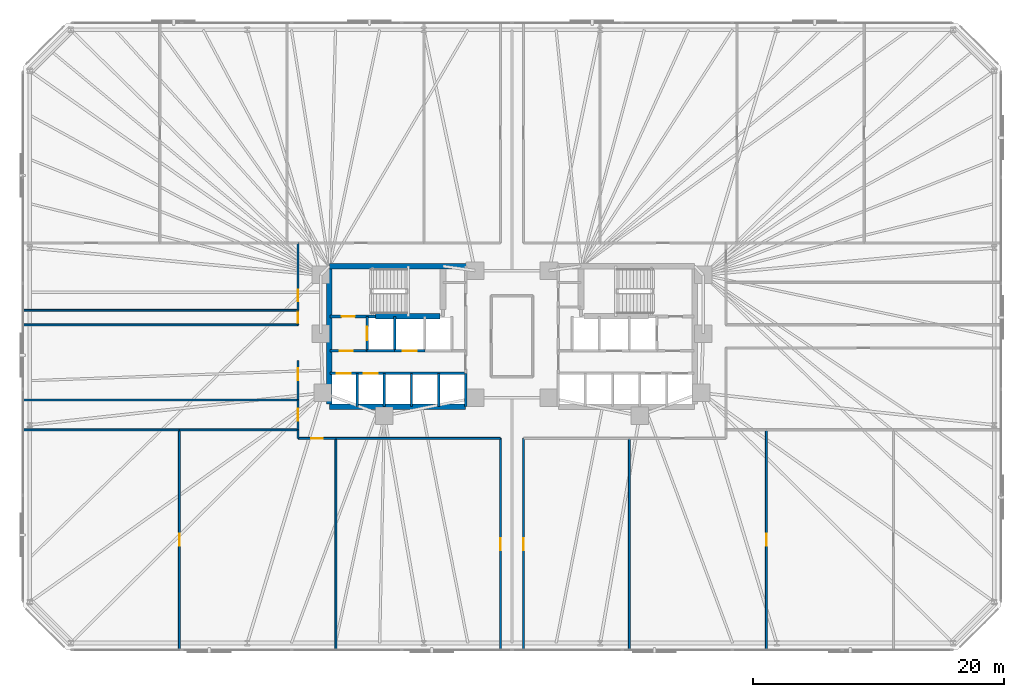
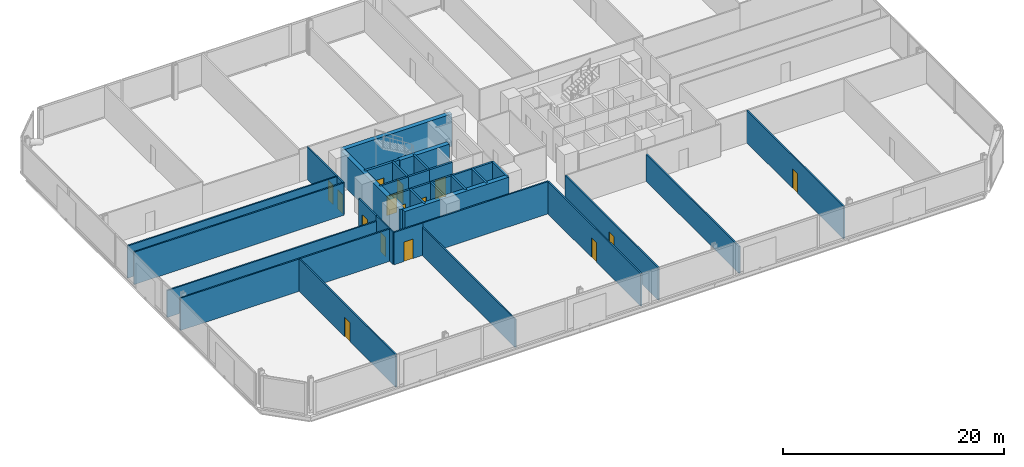
# One storey, part 12 of 17: 34 walls, 15 doors, 15 openings.
"""IFC4 building model written with IfcOpenShell, lengths in metres."""

from ifc_helpers import new_model, si_unit, direction, frame, frame_2d, origin, place, context, subcontext, project, spatial, rectangle, extrude, material, layer, layer_set, type_object, element, fill, save


model = new_model("IFC4")

# Units and contexts
model_context = context("Model", 3, precision=1e-05, world=origin(), true_north=direction((0.0, 1.0)))
body_context = subcontext(model_context, "Body", "Model", "MODEL_VIEW")
ifc_project = project(units=[si_unit("LENGTHUNIT", "METRE"), si_unit("AREAUNIT", "SQUARE_METRE"), si_unit("VOLUMEUNIT", "CUBIC_METRE"), si_unit("PLANEANGLEUNIT", "RADIAN"), si_unit("MASSUNIT", "GRAM", prefix="KILO")], contexts=[model_context])

# Site, building, storey
site_placement = place(None, origin())
site = spatial("IfcSite", under=ifc_project, at=site_placement, CompositionType="ELEMENT")
building_placement = place(site_placement, origin())
building = spatial("IfcBuilding", under=site, at=building_placement, Name="Menara Jurai Vektor", CompositionType="ELEMENT")
storey_placement = place(building_placement, frame((0.0, 0.0, 25.60009765625)))
storey = spatial("IfcBuildingStorey", under=building, at=storey_placement, Name="L05", CompositionType="ELEMENT", Elevation=25.60009765625)

# Wall, opening, door
ifc_material_1 = material(Name="Concrete C40/50", Category="concrete")
ifc_layer_1 = layer(ifc_material_1, 0.25)
ifc_layer_set_1 = layer_set([ifc_layer_1], Name="Concrete C40/50")
wall_type_1 = type_object("IfcWallType", Name="INT-WALL-CORE-250", PredefinedType="STANDARD", material=ifc_layer_set_1)
wall_1_placement = place(storey_placement, frame((-14.5, 1.60009765625, 0.0), z_axis=(0.0, 0.0, 1.0), x_axis=(1.0, 0.0, 0.0)))
wall_1 = element("IfcWall", 1, at=wall_1_placement, inside=storey, type_object=wall_type_1, Name="Interior Wall IW-250 L05", PredefinedType="STANDARD", context=body_context, shape_type="SweptSolid", body=[
    extrude(rectangle(XDim=3.60009765625, YDim=0.25, at=frame_2d((1.800048828125, 0.0))), origin(), (0.0, 0.0, 1.0), 3.574951171875),
])
opening_1_placement = place(wall_1_placement, frame((0.919921875, 0.0, 0.0)))
opening_1 = element("IfcOpeningElement", 2, at=opening_1_placement, cuts=wall_1, Name="Opening D-L05-ST1", PredefinedType="OPENING", context=body_context, shape_type="SweptSolid", body=[
    extrude(rectangle(XDim=1.050048828125, YDim=2.14990234375, at=frame_2d((0.52490234375, 1.074951171875))), frame((0.0, 0.135009765625, 0.0), z_axis=(0.0, -1.0, 0.0), x_axis=(1.0, 0.0, 0.0)), (0.0, 0.0, 1.0), 0.27001953125),
])
ifc_material_2 = material(Name="Fire-Rated Steel Door", Category="steel")
door_type_1 = type_object("IfcDoorType", Name="DR-STAIR-1050", OperationType="NOTDEFINED", PredefinedType="DOOR", material=ifc_material_2)
door_1_placement = place(opening_1_placement, origin())
door_1 = element("IfcDoor", 3, at=door_1_placement, inside=storey, type_object=door_type_1, Name="Exit Stair ST1 Door L05", OperationType="SINGLE_SWING_RIGHT", OverallHeight=2.14990234375, OverallWidth=1.050048828125, PredefinedType="DOOR", context=body_context, shape_type="SweptSolid", body=[
    extrude(rectangle(XDim=1.050048828125, YDim=2.14990234375, at=frame_2d((0.52490234375, 1.074951171875))), frame((0.0, 0.02490234375, 0.0), z_axis=(0.0, -1.0, 0.0), x_axis=(1.0, 0.0, 0.0)), (0.0, 0.0, 1.0), 0.050048828125),
])
fill(opening_1, door_1)

wall_2_placement = place(storey_placement, frame((-11.550048828125, -1.14990234375, 0.0), z_axis=(0.0, 0.0, 1.0), x_axis=(0.0, 1.0, 0.0)))
wall_2 = element("IfcWall", 4, at=wall_2_placement, inside=storey, type_object=wall_type_1, Name="Interior Wall IW-250 L05", PredefinedType="STANDARD", context=body_context, shape_type="SweptSolid", body=[
    extrude(rectangle(XDim=2.75, YDim=0.199951171875, at=frame_2d((1.375, 0.0))), origin(), (0.0, 0.0, 1.0), 3.574951171875),
])
opening_2_placement = place(wall_2_placement, frame((0.824951171875, 0.0, 0.0)))
opening_2 = element("IfcOpeningElement", 5, at=opening_2_placement, cuts=wall_2, Name="Opening LD-L05-FL1", PredefinedType="OPENING", context=body_context, shape_type="SweptSolid", body=[
    extrude(rectangle(XDim=1.10009765625, YDim=2.14990234375, at=frame_2d((0.550048828125, 1.074951171875))), frame((0.0, 0.10986328125, 0.0), z_axis=(0.0, -1.0, 0.0), x_axis=(1.0, 0.0, 0.0)), (0.0, 0.0, 1.0), 0.219970703125),
])
ifc_material_3 = material(Name="Stainless Steel Sliding Lift Landing Door", Category="steel")
door_type_2 = type_object("IfcDoorType", Name="DR-LIFT-FIRE-1100", OperationType="NOTDEFINED", PredefinedType="DOOR", material=ifc_material_3)
door_2_placement = place(opening_2_placement, origin())
door_2 = element("IfcDoor", 6, at=door_2_placement, inside=storey, type_object=door_type_2, Name="Lift Landing Door FL1 L05", OperationType="SLIDING_TO_RIGHT", OverallHeight=2.14990234375, OverallWidth=1.10009765625, PredefinedType="DOOR", context=body_context, shape_type="SweptSolid", body=[
    extrude(rectangle(XDim=1.10009765625, YDim=2.14990234375, at=frame_2d((0.550048828125, 1.074951171875))), frame((0.0, 0.02490234375, 0.0), z_axis=(0.0, -1.0, 0.0), x_axis=(1.0, 0.0, 0.0)), (0.0, 0.0, 1.0), 0.050048828125),
])
fill(opening_2, door_2)

# Wall
wall_3_placement = place(storey_placement, frame((-9.35009765625, -1.14990234375, 0.0), z_axis=(0.0, 0.0, 1.0), x_axis=(0.0, 1.0, 0.0)))
element("IfcWall", 7, at=wall_3_placement, inside=storey, type_object=wall_type_1, Name="Interior Wall IW-250 L05", PredefinedType="STANDARD", context=body_context, shape_type="SweptSolid", body=[
    extrude(rectangle(XDim=2.75, YDim=0.199951171875, at=frame_2d((1.375, 0.0))), origin(), (0.0, 0.0, 1.0), 3.574951171875),
])

# Wall, opening, door
wall_4_placement = place(storey_placement, frame((-14.5, -1.14990234375, 0.0), z_axis=(0.0, 0.0, 1.0), x_axis=(1.0, 0.0, 0.0)))
wall_4 = element("IfcWall", 8, at=wall_4_placement, inside=storey, type_object=wall_type_1, Name="Interior Wall IW-250 L05", PredefinedType="STANDARD", context=body_context, shape_type="SweptSolid", body=[
    extrude(rectangle(XDim=2.949951171875, YDim=0.199951171875, at=frame_2d((1.47509765625, 0.0))), origin(), (0.0, 0.0, 1.0), 3.574951171875),
])
opening_3_placement = place(wall_4_placement, frame((0.75, 0.0, 0.0)))
opening_3 = element("IfcOpeningElement", 9, at=opening_3_placement, cuts=wall_4, Name="Opening D-L05-FFW", PredefinedType="OPENING", context=body_context, shape_type="SweptSolid", body=[
    extrude(rectangle(XDim=1.050048828125, YDim=2.179931640625, at=frame_2d((0.52490234375, 1.08984375))), frame((0.0, 0.10986328125, 0.0), z_axis=(0.0, -1.0, 0.0), x_axis=(1.0, 0.0, 0.0)), (0.0, 0.0, 1.0), 0.219970703125),
])
ifc_material_4 = material(Name="Fire-Rated Timber Door", Category="wood")
door_type_3 = type_object("IfcDoorType", Name="DR-LOBBY-1050", OperationType="NOTDEFINED", PredefinedType="DOOR", material=ifc_material_4)
door_3_placement = place(opening_3_placement, origin())
door_3 = element("IfcDoor", 10, at=door_3_placement, inside=storey, type_object=door_type_3, Name="Fire Lift Lobby Door W L05", OperationType="SINGLE_SWING_RIGHT", OverallHeight=2.179931640625, OverallWidth=1.050048828125, PredefinedType="DOOR", context=body_context, shape_type="SweptSolid", body=[
    extrude(rectangle(XDim=1.050048828125, YDim=2.179931640625, at=frame_2d((0.52490234375, 1.08984375))), frame((0.0, 0.02490234375, 0.0), z_axis=(0.0, -1.0, 0.0), x_axis=(1.0, 0.0, 0.0)), (0.0, 0.0, 1.0), 0.050048828125),
])
fill(opening_3, door_3)

# Walls
wall_5_placement = place(storey_placement, frame((-11.550048828125, -1.14990234375, 0.0), z_axis=(0.0, 0.0, 1.0), x_axis=(1.0, 0.0, 0.0)))
element("IfcWall", 11, at=wall_5_placement, inside=storey, type_object=wall_type_1, Name="Interior Wall IW-250 L05", PredefinedType="STANDARD", context=body_context, shape_type="SweptSolid", body=[
    extrude(rectangle(XDim=2.199951171875, YDim=0.199951171875, at=frame_2d((1.10009765625, 0.0))), origin(), (0.0, 0.0, 1.0), 3.574951171875),
])
ifc_material_5 = material(Name="Gypsum Fireboard Partition", Category="gypsum")
ifc_layer_2 = layer(ifc_material_5, 0.14990234375)
ifc_layer_set_2 = layer_set([ifc_layer_2], Name="Gypsum Fireboard Partition")
wall_type_2 = type_object("IfcWallType", Name="INT-WALL-CORR-150", PredefinedType="PARTITIONING", material=ifc_layer_set_2)
wall_6_placement = place(storey_placement, frame((-17.05908203125, -8.1298828125, 0.0), z_axis=(0.0, 0.0, 1.0), x_axis=(0.0, 1.0, 0.0)))
element("IfcWall", 12, at=wall_6_placement, inside=storey, type_object=wall_type_2, Name="Interior Wall IW-150 L05", PredefinedType="PARTITIONING", context=body_context, shape_type="SweptSolid", body=[
    extrude(rectangle(XDim=0.679931640625, YDim=0.14990234375, at=frame_2d((0.33984375, 0.0))), origin(), (0.0, 0.0, 1.0), 3.574951171875),
])

# Wall, opening, door
wall_7_placement = place(storey_placement, frame((-17.05908203125, -8.1298828125, 0.0), z_axis=(0.0, 0.0, 1.0), x_axis=(1.0, 0.0, 0.0)))
wall_7 = element("IfcWall", 13, at=wall_7_placement, inside=storey, type_object=wall_type_2, Name="Interior Wall IW-150 L05", PredefinedType="PARTITIONING", context=body_context, shape_type="SweptSolid", body=[
    extrude(rectangle(XDim=3.01904296875, YDim=0.14990234375, at=frame_2d((1.509521484375, 0.0))), origin(), (0.0, 0.0, 1.0), 3.574951171875),
])
opening_4_placement = place(wall_7_placement, frame((1.034423828125, 0.0, 0.0)))
opening_4 = element("IfcOpeningElement", 14, at=opening_4_placement, cuts=wall_7, Name="Opening D05-09", PredefinedType="OPENING", context=body_context, shape_type="SweptSolid", body=[
    extrude(rectangle(XDim=0.949951171875, YDim=2.14990234375, at=frame_2d((0.47509765625, 1.074951171875))), frame((0.0, 0.0849609375, 0.0), z_axis=(0.0, -1.0, 0.0), x_axis=(1.0, 0.0, 0.0)), (0.0, 0.0, 1.0), 0.169921875),
])
ifc_material_6 = material(Name="Solid Core Timber Fire Door", Category="wood")
door_type_4 = type_object("IfcDoorType", Name="DR-ENTRY-950", OperationType="NOTDEFINED", PredefinedType="DOOR", material=ifc_material_6)
door_4_placement = place(opening_4_placement, origin())
door_4 = element("IfcDoor", 15, at=door_4_placement, inside=storey, type_object=door_type_4, Name="Interior Door D05-09", OperationType="SINGLE_SWING_RIGHT", OverallHeight=2.14990234375, OverallWidth=0.949951171875, PredefinedType="DOOR", context=body_context, shape_type="SweptSolid", body=[
    extrude(rectangle(XDim=0.949951171875, YDim=2.14990234375, at=frame_2d((0.47509765625, 1.074951171875))), frame((0.0, 0.02490234375, 0.0), z_axis=(0.0, -1.0, 0.0), x_axis=(1.0, 0.0, 0.0)), (0.0, 0.0, 1.0), 0.050048828125),
])
fill(opening_4, door_4)

# Wall
wall_8_placement = place(storey_placement, frame((-14.0400390625, -8.1298828125, 0.0), z_axis=(0.0, 0.0, 1.0), x_axis=(1.0, 0.0, 0.0)))
element("IfcWall", 16, at=wall_8_placement, inside=storey, type_object=wall_type_2, Name="Interior Wall IW-150 L05", PredefinedType="PARTITIONING", context=body_context, shape_type="SweptSolid", body=[
    extrude(rectangle(XDim=13.1201171875, YDim=0.14990234375, at=frame_2d((6.56005859375, 0.0))), origin(), (0.0, 0.0, 1.0), 3.574951171875),
])

# Wall, opening, door
wall_9_placement = place(storey_placement, frame((-0.919921875, -25.0, 0.0), z_axis=(0.0, 0.0, 1.0), x_axis=(0.0, 1.0, 0.0)))
wall_9 = element("IfcWall", 17, at=wall_9_placement, inside=storey, type_object=wall_type_2, Name="Interior Wall IW-150 L05", PredefinedType="PARTITIONING", context=body_context, shape_type="SweptSolid", body=[
    extrude(rectangle(XDim=16.8701171875, YDim=0.14990234375, at=frame_2d((8.43505859375, 0.0))), origin(), (0.0, 0.0, 1.0), 3.574951171875),
])
opening_5_placement = place(wall_9_placement, frame((7.9599609375, 0.0, 0.0)))
opening_5 = element("IfcOpeningElement", 18, at=opening_5_placement, cuts=wall_9, Name="Opening D05-10", PredefinedType="OPENING", context=body_context, shape_type="SweptSolid", body=[
    extrude(rectangle(XDim=0.949951171875, YDim=2.14990234375, at=frame_2d((0.47509765625, 1.074951171875))), frame((0.0, 0.0849609375, 0.0), z_axis=(0.0, -1.0, 0.0), x_axis=(1.0, 0.0, 0.0)), (0.0, 0.0, 1.0), 0.169921875),
])
door_5_placement = place(opening_5_placement, origin())
door_5 = element("IfcDoor", 19, at=door_5_placement, inside=storey, type_object=door_type_4, Name="Interior Door D05-10", OperationType="SINGLE_SWING_LEFT", OverallHeight=2.14990234375, OverallWidth=0.949951171875, PredefinedType="DOOR", context=body_context, shape_type="SweptSolid", body=[
    extrude(rectangle(XDim=0.949951171875, YDim=2.14990234375, at=frame_2d((0.47509765625, 1.074951171875))), frame((0.0, 0.02490234375, 0.0), z_axis=(0.0, -1.0, 0.0), x_axis=(1.0, 0.0, 0.0)), (0.0, 0.0, 1.0), 0.050048828125),
])
fill(opening_5, door_5)

wall_10_placement = place(storey_placement, frame((0.919921875, -25.0, 0.0), z_axis=(0.0, 0.0, 1.0), x_axis=(0.0, 1.0, 0.0)))
wall_10 = element("IfcWall", 20, at=wall_10_placement, inside=storey, type_object=wall_type_2, Name="Interior Wall IW-150 L05", PredefinedType="PARTITIONING", context=body_context, shape_type="SweptSolid", body=[
    extrude(rectangle(XDim=16.8701171875, YDim=0.14990234375, at=frame_2d((8.43505859375, 0.0))), origin(), (0.0, 0.0, 1.0), 3.574951171875),
])
opening_6_placement = place(wall_10_placement, frame((7.9599609375, 0.0, 0.0)))
opening_6 = element("IfcOpeningElement", 21, at=opening_6_placement, cuts=wall_10, Name="Opening D05-11", PredefinedType="OPENING", context=body_context, shape_type="SweptSolid", body=[
    extrude(rectangle(XDim=0.949951171875, YDim=2.14990234375, at=frame_2d((0.47509765625, 1.074951171875))), frame((0.0, 0.0849609375, 0.0), z_axis=(0.0, -1.0, 0.0), x_axis=(1.0, 0.0, 0.0)), (0.0, 0.0, 1.0), 0.169921875),
])
door_6_placement = place(opening_6_placement, origin())
door_6 = element("IfcDoor", 22, at=door_6_placement, inside=storey, type_object=door_type_4, Name="Interior Door D05-11", OperationType="SINGLE_SWING_RIGHT", OverallHeight=2.14990234375, OverallWidth=0.949951171875, PredefinedType="DOOR", context=body_context, shape_type="SweptSolid", body=[
    extrude(rectangle(XDim=0.949951171875, YDim=2.14990234375, at=frame_2d((0.47509765625, 1.074951171875))), frame((0.0, 0.02490234375, 0.0), z_axis=(0.0, -1.0, 0.0), x_axis=(1.0, 0.0, 0.0)), (0.0, 0.0, 1.0), 0.050048828125),
])
fill(opening_6, door_6)

wall_11_placement = place(storey_placement, frame((-17.05908203125, -7.449951171875, 0.0), z_axis=(0.0, 0.0, 1.0), x_axis=(0.0, 1.0, 0.0)))
wall_11 = element("IfcWall", 23, at=wall_11_placement, inside=storey, type_object=wall_type_2, Name="Interior Wall IW-150 L05", PredefinedType="PARTITIONING", context=body_context, shape_type="SweptSolid", body=[
    extrude(rectangle(XDim=2.384033203125, YDim=0.14990234375, at=frame_2d((1.19189453125, 0.0))), origin(), (0.0, 0.0, 1.0), 3.574951171875),
])
opening_7_placement = place(wall_11_placement, frame((0.717041015625, 0.0, 0.0)))
opening_7 = element("IfcOpeningElement", 24, at=opening_7_placement, cuts=wall_11, Name="Opening D05-13", PredefinedType="OPENING", context=body_context, shape_type="SweptSolid", body=[
    extrude(rectangle(XDim=0.949951171875, YDim=2.14990234375, at=frame_2d((0.47509765625, 1.074951171875))), frame((0.0, 0.0849609375, 0.0), z_axis=(0.0, -1.0, 0.0), x_axis=(1.0, 0.0, 0.0)), (0.0, 0.0, 1.0), 0.169921875),
])
door_7_placement = place(opening_7_placement, origin())
door_7 = element("IfcDoor", 25, at=door_7_placement, inside=storey, type_object=door_type_4, Name="Interior Door D05-13", OperationType="SINGLE_SWING_RIGHT", OverallHeight=2.14990234375, OverallWidth=0.949951171875, PredefinedType="DOOR", context=body_context, shape_type="SweptSolid", body=[
    extrude(rectangle(XDim=0.949951171875, YDim=2.14990234375, at=frame_2d((0.47509765625, 1.074951171875))), frame((0.0, 0.02490234375, 0.0), z_axis=(0.0, -1.0, 0.0), x_axis=(1.0, 0.0, 0.0)), (0.0, 0.0, 1.0), 0.050048828125),
])
fill(opening_7, door_7)

wall_12_placement = place(storey_placement, frame((-17.05908203125, -5.06591796875, 0.0), z_axis=(0.0, 0.0, 1.0), x_axis=(0.0, 1.0, 0.0)))
wall_12 = element("IfcWall", 26, at=wall_12_placement, inside=storey, type_object=wall_type_2, Name="Interior Wall IW-150 L05", PredefinedType="PARTITIONING", context=body_context, shape_type="SweptSolid", body=[
    extrude(rectangle(XDim=3.12890625, YDim=0.14990234375, at=frame_2d((1.564453125, 0.0))), origin(), (0.0, 0.0, 1.0), 3.574951171875),
])
opening_8_placement = place(wall_12_placement, frame((1.558837890625, 0.0, 0.0)))
opening_8 = element("IfcOpeningElement", 27, at=opening_8_placement, cuts=wall_12, Name="Opening D05-14", PredefinedType="OPENING", context=body_context, shape_type="SweptSolid", body=[
    extrude(rectangle(XDim=0.949951171875, YDim=2.14990234375, at=frame_2d((0.47509765625, 1.074951171875))), frame((0.0, 0.0849609375, 0.0), z_axis=(0.0, -1.0, 0.0), x_axis=(1.0, 0.0, 0.0)), (0.0, 0.0, 1.0), 0.169921875),
])
door_8_placement = place(opening_8_placement, origin())
door_8 = element("IfcDoor", 28, at=door_8_placement, inside=storey, type_object=door_type_4, Name="Interior Door D05-14", OperationType="SINGLE_SWING_LEFT", OverallHeight=2.14990234375, OverallWidth=0.949951171875, PredefinedType="DOOR", context=body_context, shape_type="SweptSolid", body=[
    extrude(rectangle(XDim=0.949951171875, YDim=2.14990234375, at=frame_2d((0.47509765625, 1.074951171875))), frame((0.0, 0.02490234375, 0.0), z_axis=(0.0, -1.0, 0.0), x_axis=(1.0, 0.0, 0.0)), (0.0, 0.0, 1.0), 0.050048828125),
])
fill(opening_8, door_8)

# Wall
wall_13_placement = place(storey_placement, frame((-39.0, 0.919921875, 0.0), z_axis=(0.0, 0.0, 1.0), x_axis=(1.0, 0.0, 0.0)))
element("IfcWall", 29, at=wall_13_placement, inside=storey, type_object=wall_type_2, Name="Interior Wall IW-150 L05", PredefinedType="PARTITIONING", context=body_context, shape_type="SweptSolid", body=[
    extrude(rectangle(XDim=21.94091796875, YDim=0.14990234375, at=frame_2d((10.970458984375, 0.0))), origin(), (0.0, 0.0, 1.0), 3.574951171875),
])

# Wall, opening, door
wall_14_placement = place(storey_placement, frame((-17.05908203125, 0.919921875, 0.0), z_axis=(0.0, 0.0, 1.0), x_axis=(0.0, 1.0, 0.0)))
wall_14 = element("IfcWall", 30, at=wall_14_placement, inside=storey, type_object=wall_type_2, Name="Interior Wall IW-150 L05", PredefinedType="PARTITIONING", context=body_context, shape_type="SweptSolid", body=[
    extrude(rectangle(XDim=1.166015625, YDim=0.14990234375, at=frame_2d((0.5830078125, 0.0))), origin(), (0.0, 0.0, 1.0), 3.574951171875),
])
opening_9_placement = place(wall_14_placement, frame((0.1201171875, 0.0, 0.0)))
opening_9 = element("IfcOpeningElement", 31, at=opening_9_placement, cuts=wall_14, Name="Opening D05-15", PredefinedType="OPENING", context=body_context, shape_type="SweptSolid", body=[
    extrude(rectangle(XDim=0.926025390625, YDim=2.14990234375, at=frame_2d((0.462890625, 1.074951171875))), frame((0.0, 0.0849609375, 0.0), z_axis=(0.0, -1.0, 0.0), x_axis=(1.0, 0.0, 0.0)), (0.0, 0.0, 1.0), 0.169921875),
])
door_9_placement = place(opening_9_placement, origin())
door_9 = element("IfcDoor", 32, at=door_9_placement, inside=storey, type_object=door_type_4, Name="Interior Door D05-15", OperationType="SINGLE_SWING_RIGHT", OverallHeight=2.14990234375, OverallWidth=0.926025390625, PredefinedType="DOOR", context=body_context, shape_type="SweptSolid", body=[
    extrude(rectangle(XDim=0.926025390625, YDim=2.14990234375, at=frame_2d((0.462890625, 1.074951171875))), frame((0.0, 0.02490234375, 0.0), z_axis=(0.0, -1.0, 0.0), x_axis=(1.0, 0.0, 0.0)), (0.0, 0.0, 1.0), 0.050048828125),
])
fill(opening_9, door_9)

wall_15_placement = place(storey_placement, frame((-17.05908203125, 2.0859375, 0.0), z_axis=(0.0, 0.0, 1.0), x_axis=(0.0, 1.0, 0.0)))
wall_15 = element("IfcWall", 33, at=wall_15_placement, inside=storey, type_object=wall_type_2, Name="Interior Wall IW-150 L05", PredefinedType="PARTITIONING", context=body_context, shape_type="SweptSolid", body=[
    extrude(rectangle(XDim=5.364013671875, YDim=0.14990234375, at=frame_2d((2.68212890625, 0.0))), origin(), (0.0, 0.0, 1.0), 3.574951171875),
])
opening_10_placement = place(wall_15_placement, frame((0.705078125, 0.0, 0.0)))
opening_10 = element("IfcOpeningElement", 34, at=opening_10_placement, cuts=wall_15, Name="Opening D05-16", PredefinedType="OPENING", context=body_context, shape_type="SweptSolid", body=[
    extrude(rectangle(XDim=0.949951171875, YDim=2.14990234375, at=frame_2d((0.47509765625, 1.074951171875))), frame((0.0, 0.0849609375, 0.0), z_axis=(0.0, -1.0, 0.0), x_axis=(1.0, 0.0, 0.0)), (0.0, 0.0, 1.0), 0.169921875),
])
door_10_placement = place(opening_10_placement, origin())
door_10 = element("IfcDoor", 35, at=door_10_placement, inside=storey, type_object=door_type_4, Name="Interior Door D05-16", OperationType="SINGLE_SWING_LEFT", OverallHeight=2.14990234375, OverallWidth=0.949951171875, PredefinedType="DOOR", context=body_context, shape_type="SweptSolid", body=[
    extrude(rectangle(XDim=0.949951171875, YDim=2.14990234375, at=frame_2d((0.47509765625, 1.074951171875))), frame((0.0, 0.02490234375, 0.0), z_axis=(0.0, -1.0, 0.0), x_axis=(1.0, 0.0, 0.0)), (0.0, 0.0, 1.0), 0.050048828125),
])
fill(opening_10, door_10)

wall_16_placement = place(storey_placement, frame((-26.52001953125, -25.0, 0.0), z_axis=(0.0, 0.0, 1.0), x_axis=(0.0, 1.0, 0.0)))
wall_16 = element("IfcWall", 36, at=wall_16_placement, inside=storey, type_object=wall_type_2, Name="Interior Wall IW-150 L05", PredefinedType="PARTITIONING", context=body_context, shape_type="SweptSolid", body=[
    extrude(rectangle(XDim=17.550048828125, YDim=0.14990234375, at=frame_2d((8.77490234375, 0.0))), origin(), (0.0, 0.0, 1.0), 3.574951171875),
])
opening_11_placement = place(wall_16_placement, frame((8.300048828125, 0.0, 0.0)))
opening_11 = element("IfcOpeningElement", 37, at=opening_11_placement, cuts=wall_16, Name="Opening D05-24", PredefinedType="OPENING", context=body_context, shape_type="SweptSolid", body=[
    extrude(rectangle(XDim=0.949951171875, YDim=2.14990234375, at=frame_2d((0.47509765625, 1.074951171875))), frame((0.0, 0.0849609375, 0.0), z_axis=(0.0, -1.0, 0.0), x_axis=(1.0, 0.0, 0.0)), (0.0, 0.0, 1.0), 0.169921875),
])
door_11_placement = place(opening_11_placement, origin())
door_11 = element("IfcDoor", 38, at=door_11_placement, inside=storey, type_object=door_type_4, Name="Interior Door D05-24", OperationType="SINGLE_SWING_LEFT", OverallHeight=2.14990234375, OverallWidth=0.949951171875, PredefinedType="DOOR", context=body_context, shape_type="SweptSolid", body=[
    extrude(rectangle(XDim=0.949951171875, YDim=2.14990234375, at=frame_2d((0.47509765625, 1.074951171875))), frame((0.0, 0.02490234375, 0.0), z_axis=(0.0, -1.0, 0.0), x_axis=(1.0, 0.0, 0.0)), (0.0, 0.0, 1.0), 0.050048828125),
])
fill(opening_11, door_11)

# Walls
wall_17_placement = place(storey_placement, frame((-39.0, -7.449951171875, 0.0), z_axis=(0.0, 0.0, 1.0), x_axis=(1.0, 0.0, 0.0)))
element("IfcWall", 39, at=wall_17_placement, inside=storey, type_object=wall_type_2, Name="Interior Wall IW-150 L05", PredefinedType="PARTITIONING", context=body_context, shape_type="SweptSolid", body=[
    extrude(rectangle(XDim=12.47998046875, YDim=0.14990234375, at=frame_2d((6.239990234375, 0.0))), origin(), (0.0, 0.0, 1.0), 3.574951171875),
])
wall_18_placement = place(storey_placement, frame((-26.52001953125, -7.449951171875, 0.0), z_axis=(0.0, 0.0, 1.0), x_axis=(1.0, 0.0, 0.0)))
element("IfcWall", 40, at=wall_18_placement, inside=storey, type_object=wall_type_2, Name="Interior Wall IW-150 L05", PredefinedType="PARTITIONING", context=body_context, shape_type="SweptSolid", body=[
    extrude(rectangle(XDim=9.4609375, YDim=0.14990234375, at=frame_2d((4.73046875, 0.0))), origin(), (0.0, 0.0, 1.0), 3.574951171875),
])

# Wall, opening, door
wall_19_placement = place(storey_placement, frame((20.280029296875, -25.0, 0.0), z_axis=(0.0, 0.0, 1.0), x_axis=(0.0, 1.0, 0.0)))
wall_19 = element("IfcWall", 41, at=wall_19_placement, inside=storey, type_object=wall_type_2, Name="Interior Wall IW-150 L05", PredefinedType="PARTITIONING", context=body_context, shape_type="SweptSolid", body=[
    extrude(rectangle(XDim=17.550048828125, YDim=0.14990234375, at=frame_2d((8.77490234375, 0.0))), origin(), (0.0, 0.0, 1.0), 3.574951171875),
])
opening_12_placement = place(wall_19_placement, frame((8.300048828125, 0.0, 0.0)))
opening_12 = element("IfcOpeningElement", 42, at=opening_12_placement, cuts=wall_19, Name="Opening D05-25", PredefinedType="OPENING", context=body_context, shape_type="SweptSolid", body=[
    extrude(rectangle(XDim=0.949951171875, YDim=2.14990234375, at=frame_2d((0.47509765625, 1.074951171875))), frame((0.0, 0.0849609375, 0.0), z_axis=(0.0, -1.0, 0.0), x_axis=(1.0, 0.0, 0.0)), (0.0, 0.0, 1.0), 0.169921875),
])
door_12_placement = place(opening_12_placement, origin())
door_12 = element("IfcDoor", 43, at=door_12_placement, inside=storey, type_object=door_type_4, Name="Interior Door D05-25", OperationType="SINGLE_SWING_RIGHT", OverallHeight=2.14990234375, OverallWidth=0.949951171875, PredefinedType="DOOR", context=body_context, shape_type="SweptSolid", body=[
    extrude(rectangle(XDim=0.949951171875, YDim=2.14990234375, at=frame_2d((0.47509765625, 1.074951171875))), frame((0.0, 0.02490234375, 0.0), z_axis=(0.0, -1.0, 0.0), x_axis=(1.0, 0.0, 0.0)), (0.0, 0.0, 1.0), 0.050048828125),
])
fill(opening_12, door_12)

# Walls
wall_20_placement = place(storey_placement, frame((-39.0, 2.0859375, 0.0), z_axis=(0.0, 0.0, 1.0), x_axis=(1.0, 0.0, 0.0)))
element("IfcWall", 44, at=wall_20_placement, inside=storey, type_object=wall_type_2, Name="Interior Wall IW-150 L05", PredefinedType="PARTITIONING", context=body_context, shape_type="SweptSolid", body=[
    extrude(rectangle(XDim=21.94091796875, YDim=0.14990234375, at=frame_2d((10.970458984375, 0.0))), origin(), (0.0, 0.0, 1.0), 3.574951171875),
])
ifc_layer_3 = layer(ifc_material_5, 0.14990234375)
ifc_layer_set_3 = layer_set([ifc_layer_3], Name="Gypsum Fireboard Partition")
wall_type_3 = type_object("IfcWallType", Name="INT-WALL-CORR-150-H1", PredefinedType="PARTITIONING", material=ifc_layer_set_3)
wall_21_placement = place(storey_placement, frame((-14.0400390625, -25.0, 0.0), z_axis=(0.0, 0.0, 1.0), x_axis=(0.0, 1.0, 0.0)))
element("IfcWall", 45, at=wall_21_placement, inside=storey, type_object=wall_type_3, Name="Interior Wall IW-150 L05", PredefinedType="PARTITIONING", context=body_context, shape_type="SweptSolid", body=[
    extrude(rectangle(XDim=16.8701171875, YDim=0.14990234375, at=frame_2d((8.43505859375, 0.0))), origin(), (0.0, 0.0, 1.0), 3.125),
])
ifc_layer_4 = layer(ifc_material_5, 0.14990234375)
ifc_layer_set_4 = layer_set([ifc_layer_4], Name="Gypsum Fireboard Partition")
wall_type_4 = type_object("IfcWallType", Name="INT-WALL-CORR-150-H2", PredefinedType="PARTITIONING", material=ifc_layer_set_4)
wall_22_placement = place(storey_placement, frame((9.360107421875, -25.0, 0.0), z_axis=(0.0, 0.0, 1.0), x_axis=(0.0, 1.0, 0.0)))
element("IfcWall", 46, at=wall_22_placement, inside=storey, type_object=wall_type_4, Name="Interior Wall IW-150 L05", PredefinedType="PARTITIONING", context=body_context, shape_type="SweptSolid", body=[
    extrude(rectangle(XDim=16.8701171875, YDim=0.14990234375, at=frame_2d((8.43505859375, 0.0))), origin(), (0.0, 0.0, 1.0), 2.974853515625),
])
wall_23_placement = place(storey_placement, frame((-39.0, -5.06591796875, 0.0), z_axis=(0.0, 0.0, 1.0), x_axis=(1.0, 0.0, 0.0)))
element("IfcWall", 47, at=wall_23_placement, inside=storey, type_object=wall_type_4, Name="Interior Wall IW-150 L05", PredefinedType="PARTITIONING", context=body_context, shape_type="SweptSolid", body=[
    extrude(rectangle(XDim=21.94091796875, YDim=0.14990234375, at=frame_2d((10.970458984375, 0.0))), origin(), (0.0, 0.0, 1.0), 2.974853515625),
])
ifc_layer_5 = layer(ifc_material_1, 0.199951171875)
ifc_layer_set_5 = layer_set([ifc_layer_5], Name="Concrete C40/50")
wall_type_5 = type_object("IfcWallType", Name="INT-WALL-SHAFT-200", PredefinedType="STANDARD", material=ifc_layer_set_5)
wall_24_placement = place(storey_placement, frame((-3.699951171875, -5.60009765625, 0.0), z_axis=(0.0, 0.0, 1.0), x_axis=(0.0, 1.0, 0.0)))
element("IfcWall", 48, at=wall_24_placement, inside=storey, type_object=wall_type_5, Name="Interior Wall IW-200 L05", PredefinedType="STANDARD", context=body_context, shape_type="SweptSolid", body=[
    extrude(rectangle(XDim=2.650146484375, YDim=0.199951171875, at=frame_2d((1.3251953125, 0.0))), origin(), (0.0, 0.0, 1.0), 3.574951171875),
])

# Wall, opening, door
wall_25_placement = place(storey_placement, frame((-9.35009765625, -1.14990234375, 0.0), z_axis=(0.0, 0.0, 1.0), x_axis=(1.0, 0.0, 0.0)))
wall_25 = element("IfcWall", 49, at=wall_25_placement, inside=storey, type_object=wall_type_5, Name="Interior Wall IW-200 L05", PredefinedType="STANDARD", context=body_context, shape_type="SweptSolid", body=[
    extrude(rectangle(XDim=2.400146484375, YDim=0.199951171875, at=frame_2d((1.2001953125, 0.0))), origin(), (0.0, 0.0, 1.0), 3.574951171875),
])
opening_13_placement = place(wall_25_placement, frame((0.64990234375, 0.0, 0.0)))
opening_13 = element("IfcOpeningElement", 50, at=opening_13_placement, cuts=wall_25, Name="Opening LD-L05-SVL1", PredefinedType="OPENING", context=body_context, shape_type="SweptSolid", body=[
    extrude(rectangle(XDim=1.10009765625, YDim=2.14990234375, at=frame_2d((0.550048828125, 1.074951171875))), frame((0.0, 0.10986328125, 0.0), z_axis=(0.0, -1.0, 0.0), x_axis=(1.0, 0.0, 0.0)), (0.0, 0.0, 1.0), 0.219970703125),
])
ifc_material_7 = material(Name="Anodised Stainless Sliding Lift Landing Door", Category="steel")
door_type_5 = type_object("IfcDoorType", Name="DR-LIFT-PASS-1100", OperationType="NOTDEFINED", PredefinedType="DOOR", material=ifc_material_7)
door_13_placement = place(opening_13_placement, origin())
door_13 = element("IfcDoor", 51, at=door_13_placement, inside=storey, type_object=door_type_5, Name="Lift Landing Door SVL1 L05", OperationType="SLIDING_TO_RIGHT", OverallHeight=2.14990234375, OverallWidth=1.10009765625, PredefinedType="DOOR", context=body_context, shape_type="SweptSolid", body=[
    extrude(rectangle(XDim=1.10009765625, YDim=2.14990234375, at=frame_2d((0.550048828125, 1.074951171875))), frame((0.0, 0.02490234375, 0.0), z_axis=(0.0, -1.0, 0.0), x_axis=(1.0, 0.0, 0.0)), (0.0, 0.0, 1.0), 0.050048828125),
])
fill(opening_13, door_13)

# Wall, openings, doors
wall_26_placement = place(storey_placement, frame((-14.5, -2.949951171875, 0.0), z_axis=(0.0, 0.0, 1.0), x_axis=(1.0, 0.0, 0.0)))
wall_26 = element("IfcWall", 52, at=wall_26_placement, inside=storey, type_object=wall_type_5, Name="Interior Wall IW-200 L05", PredefinedType="STANDARD", context=body_context, shape_type="SweptSolid", body=[
    extrude(rectangle(XDim=10.800048828125, YDim=0.199951171875, at=frame_2d((5.39990234375, 0.0))), origin(), (0.0, 0.0, 1.0), 3.574951171875),
])
opening_14_placement = place(wall_26_placement, frame((0.530029296875, 0.0, 0.0)))
opening_14 = element("IfcOpeningElement", 53, at=opening_14_placement, cuts=wall_26, Name="Opening LD-L05-PL1", PredefinedType="OPENING", context=body_context, shape_type="SweptSolid", body=[
    extrude(rectangle(XDim=1.10009765625, YDim=2.14990234375, at=frame_2d((0.550048828125, 1.074951171875))), frame((0.0, 0.10986328125, 0.0), z_axis=(0.0, -1.0, 0.0), x_axis=(1.0, 0.0, 0.0)), (0.0, 0.0, 1.0), 0.219970703125),
])
opening_15_placement = place(wall_26_placement, frame((2.68994140625, 0.0, 0.0)))
opening_15 = element("IfcOpeningElement", 54, at=opening_15_placement, cuts=wall_26, Name="Opening LD-L05-PL2", PredefinedType="OPENING", context=body_context, shape_type="SweptSolid", body=[
    extrude(rectangle(XDim=1.10009765625, YDim=2.14990234375, at=frame_2d((0.550048828125, 1.074951171875))), frame((0.0, 0.10986328125, 0.0), z_axis=(0.0, -1.0, 0.0), x_axis=(1.0, 0.0, 0.0)), (0.0, 0.0, 1.0), 0.219970703125),
])
door_14_placement = place(opening_14_placement, origin())
door_14 = element("IfcDoor", 55, at=door_14_placement, inside=storey, type_object=door_type_5, Name="Lift Landing Door PL1 L05", OperationType="SLIDING_TO_RIGHT", OverallHeight=2.14990234375, OverallWidth=1.10009765625, PredefinedType="DOOR", context=body_context, shape_type="SweptSolid", body=[
    extrude(rectangle(XDim=1.10009765625, YDim=2.14990234375, at=frame_2d((0.550048828125, 1.074951171875))), frame((0.0, 0.02490234375, 0.0), z_axis=(0.0, -1.0, 0.0), x_axis=(1.0, 0.0, 0.0)), (0.0, 0.0, 1.0), 0.050048828125),
])
fill(opening_14, door_14)
door_15_placement = place(opening_15_placement, origin())
door_15 = element("IfcDoor", 56, at=door_15_placement, inside=storey, type_object=door_type_5, Name="Lift Landing Door PL2 L05", OperationType="SLIDING_TO_RIGHT", OverallHeight=2.14990234375, OverallWidth=1.10009765625, PredefinedType="DOOR", context=body_context, shape_type="SweptSolid", body=[
    extrude(rectangle(XDim=1.10009765625, YDim=2.14990234375, at=frame_2d((0.550048828125, 1.074951171875))), frame((0.0, 0.02490234375, 0.0), z_axis=(0.0, -1.0, 0.0), x_axis=(1.0, 0.0, 0.0)), (0.0, 0.0, 1.0), 0.050048828125),
])
fill(opening_15, door_15)

# Walls
wall_27_placement = place(storey_placement, frame((-5.860107421875, -5.60009765625, 0.0), z_axis=(0.0, 0.0, 1.0), x_axis=(0.0, 1.0, 0.0)))
element("IfcWall", 57, at=wall_27_placement, inside=storey, type_object=wall_type_5, Name="Interior Wall IW-200 L05", PredefinedType="STANDARD", context=body_context, shape_type="SweptSolid", body=[
    extrude(rectangle(XDim=2.650146484375, YDim=0.199951171875, at=frame_2d((1.3251953125, 0.0))), origin(), (0.0, 0.0, 1.0), 3.574951171875),
])
for number, where, z_axis, x_axis, name in (
    (58, (-12.340087890625, -5.60009765625, 0.0), (0.0, 0.0, 1.0), (0.0, 1.0, 0.0), "Interior Wall IW-200 L05"),
    (59, (-10.179931640625, -5.60009765625, 0.0), (0.0, 0.0, 1.0), (0.0, 1.0, 0.0), "Interior Wall IW-200 L05"),
    (60, (-8.02001953125, -5.60009765625, 0.0), (0.0, 0.0, 1.0), (0.0, 1.0, 0.0), "Interior Wall IW-200 L05"),
):
    element("IfcWall", number, at=place(storey_placement, frame(where, z_axis=z_axis, x_axis=x_axis)), inside=storey, type_object=wall_type_5, Name=name, PredefinedType="STANDARD", context=body_context, shape_type="SweptSolid", body=[
        extrude(rectangle(XDim=2.650146484375, YDim=0.179931640625, at=frame_2d((1.3251953125, 0.0))), origin(), (0.0, 0.0, 1.0), 3.574951171875),
    ])
ifc_material_8 = material(Name="Concrete C60/75", Category="concrete")
ifc_layer_6 = layer(ifc_material_8, 0.449951171875)
ifc_layer_set_6 = layer_set([ifc_layer_6], Name="Concrete C60/75")
wall_type_6 = type_object("IfcWallType", Name="STR-WALL-CORE450", PredefinedType="SHEAR", material=ifc_layer_set_6)
wall_28_placement = place(storey_placement, frame((-14.56005859375, 5.60009765625, 0.0), z_axis=(0.0, 0.0, 1.0), x_axis=(1.0, 0.0, 0.0)))
element("IfcWall", 61, at=wall_28_placement, inside=storey, type_object=wall_type_6, Name="Core Shear Wall CW-W-N L05", PredefinedType="SHEAR", context=body_context, shape_type="SweptSolid", body=[
    extrude(rectangle(XDim=11.41015625, YDim=0.449951171875, at=frame_2d((5.705078125, 0.0))), origin(), (0.0, 0.0, 1.0), 3.574951171875),
])
wall_29_placement = place(storey_placement, frame((-14.56005859375, -5.60009765625, 0.0), z_axis=(0.0, 0.0, 1.0), x_axis=(1.0, 0.0, 0.0)))
element("IfcWall", 62, at=wall_29_placement, inside=storey, type_object=wall_type_6, Name="Core Shear Wall CW-W-S L05", PredefinedType="SHEAR", context=body_context, shape_type="SweptSolid", body=[
    extrude(rectangle(XDim=10.860107421875, YDim=0.449951171875, at=frame_2d((5.43017578125, 0.0))), origin(), (0.0, 0.0, 1.0), 3.574951171875),
])
wall_30_placement = place(storey_placement, frame((-14.56005859375, -5.375, 0.0), z_axis=(0.0, 0.0, 1.0), x_axis=(0.0, 1.0, 0.0)))
element("IfcWall", 63, at=wall_30_placement, inside=storey, type_object=wall_type_6, Name="Core Shear Wall CW-W-W L05", PredefinedType="SHEAR", context=body_context, shape_type="SweptSolid", body=[
    extrude(rectangle(XDim=10.75, YDim=0.449951171875, at=frame_2d((5.375, 0.0))), origin(), (0.0, 0.0, 1.0), 3.574951171875),
])
wall_31_placement = place(storey_placement, frame((-10.89990234375, 1.60009765625, 0.0), z_axis=(0.0, 0.0, 1.0), x_axis=(1.0, 0.0, 0.0)))
element("IfcWall", 64, at=wall_31_placement, inside=storey, type_object=wall_type_6, Name="Core Shear Wall CW-W-STS L05", PredefinedType="SHEAR", context=body_context, shape_type="SweptSolid", body=[
    extrude(rectangle(XDim=5.14990234375, YDim=0.449951171875, at=frame_2d((2.574951171875, 0.0))), origin(), (0.0, 0.0, 1.0), 3.574951171875),
])

save(model, "model.ifc")
